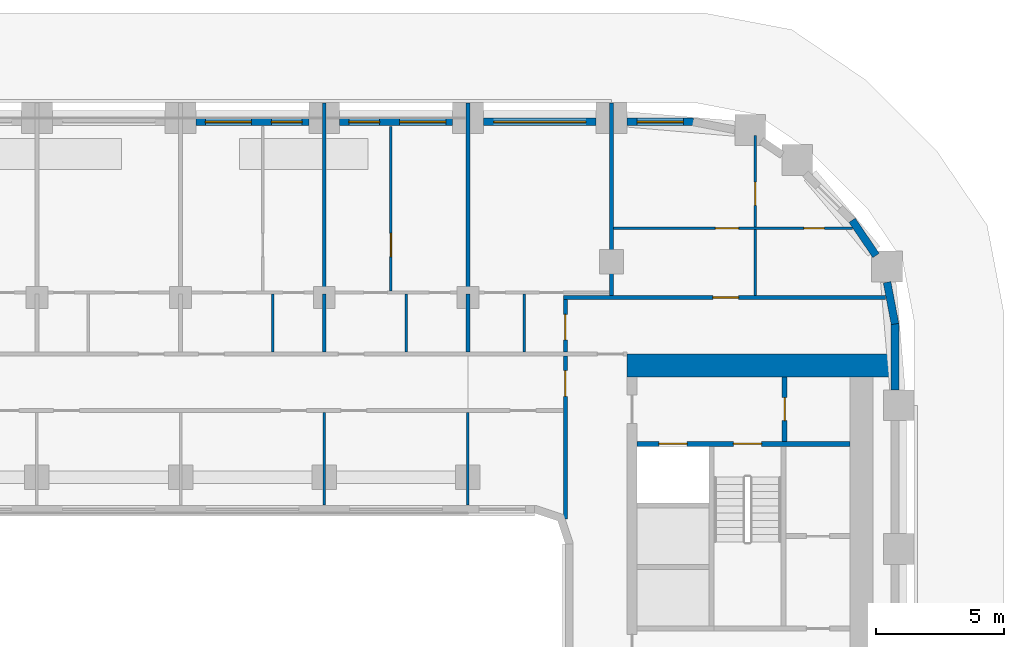
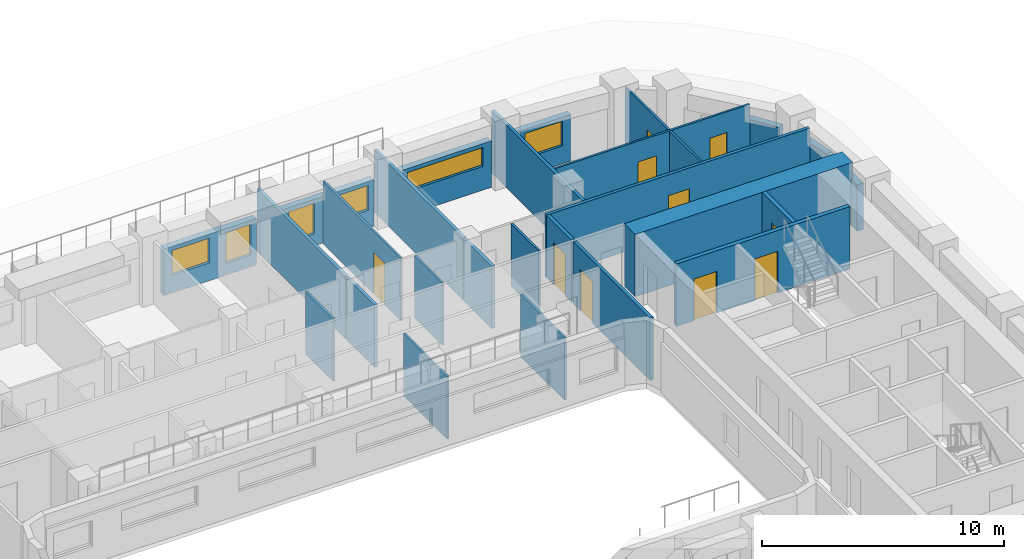
# One storey, part 10 of 18: 27 walls, 10 doors, 6 windows, 16 openings.
"""IFC4 building model written with IfcOpenShell, lengths in metres."""

from ifc_helpers import new_model, si_unit, direction, frame, frame_2d, origin, place, context, subcontext, project, spatial, rectangle, extrude, material, layer, layer_set, type_object, element, fill, save


model = new_model("IFC4")

# Units and contexts
model_context = context("Model", 3, precision=1e-05, world=origin(), true_north=direction((0.0, 1.0)))
body_context = subcontext(model_context, "Body", "Model", "MODEL_VIEW")
ifc_project = project(units=[si_unit("LENGTHUNIT", "METRE"), si_unit("AREAUNIT", "SQUARE_METRE"), si_unit("VOLUMEUNIT", "CUBIC_METRE"), si_unit("PLANEANGLEUNIT", "RADIAN"), si_unit("MASSUNIT", "GRAM", prefix="KILO")], contexts=[model_context])

# Site, building, storey
site_placement = place(None, origin())
site = spatial("IfcSite", under=ifc_project, at=site_placement, CompositionType="ELEMENT")
building_placement = place(site_placement, origin())
building = spatial("IfcBuilding", under=site, at=building_placement, Name="Kiln Ring Residences", CompositionType="ELEMENT")
storey_placement = place(building_placement, frame((0.0, 0.0, 121.800048828125)))
storey = spatial("IfcBuildingStorey", under=building, at=storey_placement, Name="L31", CompositionType="ELEMENT", Elevation=121.800048828125)

# Wall, opening, door
ifc_material_1 = material(Name="Gypsum board on steel studs", Category="steel")
ifc_layer_1 = layer(ifc_material_1, 0.199951171875)
ifc_layer_set_1 = layer_set([ifc_layer_1], Name="CORE-PARTITION-200")
wall_type_1 = type_object("IfcWallType", Name="CORE-PARTITION-200", PredefinedType="PARTITIONING", material=ifc_layer_set_1)
wall_1_placement = place(storey_placement, frame((23.550048828125, 9.800048828125, 0.0), z_axis=(0.0, 0.0, 1.0), x_axis=(0.0, 1.0, 0.0)))
wall_1 = element("IfcWall", 1, at=wall_1_placement, inside=storey, type_object=wall_type_1, Name="Core partition east L31 3", PredefinedType="PARTITIONING", context=body_context, shape_type="SweptSolid", body=[
    extrude(rectangle(XDim=2.5, YDim=0.199951171875, at=frame_2d((1.25, 0.0))), origin(), (0.0, 0.0, 1.0), 3.14990234375),
])
opening_1_placement = place(wall_1_placement, frame((0.800048828125, 0.0, 0.0)))
opening_1 = element("IfcOpeningElement", 2, at=opening_1_placement, cuts=wall_1, Name="Opening L31-CE08", PredefinedType="OPENING", context=body_context, shape_type="SweptSolid", body=[
    extrude(rectangle(XDim=0.89990234375, YDim=2.10009765625, at=frame_2d((0.449951171875, 1.050048828125))), frame((0.0, 0.10986328125, 0.0), z_axis=(0.0, -1.0, 0.0), x_axis=(1.0, 0.0, 0.0)), (0.0, 0.0, 1.0), 0.219970703125),
])
ifc_material_2 = material(Name="Steel door leaf", Category="steel")
door_type_1 = type_object("IfcDoorType", Name="CORE-DOOR-ROOM", OperationType="SINGLE_SWING_LEFT", PredefinedType="DOOR", material=ifc_material_2)
door_1_placement = place(opening_1_placement, origin())
door_1 = element("IfcDoor", 3, at=door_1_placement, inside=storey, type_object=door_type_1, Name="Fire riser room L31-CE08", OperationType="SINGLE_SWING_LEFT", OverallHeight=2.10009765625, OverallWidth=0.89990234375, PredefinedType="DOOR", context=body_context, shape_type="SweptSolid", body=[
    extrude(rectangle(XDim=0.89990234375, YDim=2.10009765625, at=frame_2d((0.449951171875, 1.050048828125))), frame((0.0, 0.02490234375, 0.0), z_axis=(0.0, -1.0, 0.0), x_axis=(1.0, 0.0, 0.0)), (0.0, 0.0, 1.0), 0.050048828125),
])
fill(opening_1, door_1)

# Wall, openings, doors
ifc_material_3 = material(Name="Concrete C40/50", Category="concrete")
ifc_layer_2 = layer(ifc_material_3, 0.199951171875)
ifc_layer_set_2 = layer_set([ifc_layer_2], Name="CORE-WALL-RC200")
wall_type_2 = type_object("IfcWallType", Name="CORE-WALL-RC200", PredefinedType="SHEAR", material=ifc_layer_set_2)
wall_2_placement = place(storey_placement, frame((17.800048828125, 9.699951171875, 0.0), z_axis=(0.0, 0.0, 1.0), x_axis=(1.0, 0.0, 0.0)))
wall_2 = element("IfcWall", 4, at=wall_2_placement, inside=storey, type_object=wall_type_2, Name="Core wall east L31 9", PredefinedType="SHEAR", context=body_context, shape_type="SweptSolid", body=[
    extrude(rectangle(XDim=8.300048828125, YDim=0.199951171875, at=frame_2d((4.14990234375, 0.0))), origin(), (0.0, 0.0, 1.0), 3.14990234375),
])
opening_2_placement = place(wall_2_placement, frame((0.85009765625, 0.0, 0.0)))
opening_2 = element("IfcOpeningElement", 5, at=opening_2_placement, cuts=wall_2, Name="Opening L31-CE05", PredefinedType="OPENING", context=body_context, shape_type="SweptSolid", body=[
    extrude(rectangle(XDim=1.10009765625, YDim=2.10009765625, at=frame_2d((0.550048828125, 1.050048828125))), frame((0.0, 0.10986328125, 0.0), z_axis=(0.0, -1.0, 0.0), x_axis=(1.0, 0.0, 0.0)), (0.0, 0.0, 1.0), 0.219970703125),
])
opening_3_placement = place(wall_2_placement, frame((3.75, 0.0, 0.0)))
opening_3 = element("IfcOpeningElement", 6, at=opening_3_placement, cuts=wall_2, Name="Opening L31-CE10", PredefinedType="OPENING", context=body_context, shape_type="SweptSolid", body=[
    extrude(rectangle(XDim=1.10009765625, YDim=2.10009765625, at=frame_2d((0.550048828125, 1.050048828125))), frame((0.0, 0.10986328125, 0.0), z_axis=(0.0, -1.0, 0.0), x_axis=(1.0, 0.0, 0.0)), (0.0, 0.0, 1.0), 0.219970703125),
])
ifc_material_4 = material(Name="Steel door leaf", Category="steel")
door_type_2 = type_object("IfcDoorType", Name="CORE-DOOR-LD", OperationType="DOUBLE_DOOR_SLIDING", PredefinedType="DOOR", material=ifc_material_4)
door_2_placement = place(opening_2_placement, origin())
door_2 = element("IfcDoor", 7, at=door_2_placement, inside=storey, type_object=door_type_2, Name="LD E-FF L31-CE05", OperationType="DOUBLE_DOOR_SLIDING", OverallHeight=2.10009765625, OverallWidth=1.10009765625, PredefinedType="DOOR", context=body_context, shape_type="SweptSolid", body=[
    extrude(rectangle(XDim=1.10009765625, YDim=2.10009765625, at=frame_2d((0.550048828125, 1.050048828125))), frame((0.0, 0.02490234375, 0.0), z_axis=(0.0, -1.0, 0.0), x_axis=(1.0, 0.0, 0.0)), (0.0, 0.0, 1.0), 0.050048828125),
])
fill(opening_2, door_2)
ifc_material_5 = material(Name="Steel door leaf", Category="steel")
door_type_3 = type_object("IfcDoorType", Name="CORE-DOOR-STAIR", OperationType="SINGLE_SWING_LEFT", PredefinedType="DOOR", material=ifc_material_5)
door_3_placement = place(opening_3_placement, origin())
door_3 = element("IfcDoor", 8, at=door_3_placement, inside=storey, type_object=door_type_3, Name="Stair E-STN L31-CE10", OperationType="SINGLE_SWING_LEFT", OverallHeight=2.10009765625, OverallWidth=1.10009765625, PredefinedType="DOOR", context=body_context, shape_type="SweptSolid", body=[
    extrude(rectangle(XDim=1.10009765625, YDim=2.10009765625, at=frame_2d((0.550048828125, 1.050048828125))), frame((0.0, 0.02490234375, 0.0), z_axis=(0.0, -1.0, 0.0), x_axis=(1.0, 0.0, 0.0)), (0.0, 0.0, 1.0), 0.050048828125),
])
fill(opening_3, door_3)

# Walls
ifc_material_6 = material(Name="Concrete C60/75", Category="concrete")
ifc_layer_3 = layer(ifc_material_6, 0.89990234375)
ifc_layer_set_3 = layer_set([ifc_layer_3], Name="CORE-WALL-RC900")
wall_type_3 = type_object("IfcWallType", Name="CORE-WALL-RC900", PredefinedType="SHEAR", material=ifc_layer_set_3)
wall_3_placement = place(storey_placement, frame((17.39990234375, 12.75, 0.0), z_axis=(0.0, 0.0, 1.0), x_axis=(1.0, 0.0, 0.0)))
element("IfcWall", 9, at=wall_3_placement, inside=storey, type_object=wall_type_3, Name="Core wall east L31 4", PredefinedType="SHEAR", context=body_context, shape_type="SweptSolid", body=[
    extrude(rectangle(XDim=10.400146484375, YDim=0.89990234375, at=frame_2d((5.2001953125, 0.0))), origin(), (0.0, 0.0, 1.0), 3.14990234375),
])
ifc_material_7 = material(Name="Brick masonry, dark clay brick", Category="masonry")
ifc_layer_4 = layer(ifc_material_7, 0.300048828125)
ifc_layer_set_4 = layer_set([ifc_layer_4], Name="EW-300 BRICK WALL")
wall_type_4 = type_object("IfcWallType", Name="EW-300 BRICK WALL", PredefinedType="SOLIDWALL", material=ifc_layer_set_4)
wall_4_placement = place(storey_placement, frame((27.85009765625, 11.800048828125, 0.0), z_axis=(0.0, 0.0, 1.0), x_axis=(0.0, 1.0, 0.0)))
element("IfcWall", 10, at=wall_4_placement, inside=storey, type_object=wall_type_4, Name="Facade wall L31 22", PredefinedType="SOLIDWALL", context=body_context, shape_type="SweptSolid", body=[
    extrude(rectangle(XDim=2.599853515625, YDim=0.300048828125, at=frame_2d((1.2998046875, 0.0))), origin(), (0.0, 0.0, 1.0), 2.349853515625),
])
for number, where, z_axis, x_axis, name in (
    (11, (27.8525390625, 14.371826171875, 0.0), (0.0, 0.0, 1.0), (-0.187349172861, 0.982293381546, 0.0), "Facade wall L31 23"),
    (12, (27.10986328125, 17.04296875, 0.0), (0.0, 0.0, 1.0), (-0.562060017944, 0.82709644917, 0.0), "Facade wall L31 24"),
):
    element("IfcWall", number, at=place(storey_placement, frame(where, z_axis=z_axis, x_axis=x_axis)), inside=storey, type_object=wall_type_4, Name=name, PredefinedType="SOLIDWALL", context=body_context, shape_type="SweptSolid", body=[
        extrude(rectangle(XDim=1.65625, YDim=0.300048828125, at=frame_2d((0.828125, 0.0))), origin(), (0.0, 0.0, 1.0), 2.349853515625),
    ])

# Wall, opening, window
wall_5_placement = place(storey_placement, frame((20.0, 22.25, 0.0), z_axis=(0.0, 0.0, 1.0), x_axis=(-1.0, 0.0, 0.0)))
wall_5 = element("IfcWall", 13, at=wall_5_placement, inside=storey, type_object=wall_type_4, Name="Facade wall L31 28", PredefinedType="SOLIDWALL", context=body_context, shape_type="SweptSolid", body=[
    extrude(rectangle(XDim=2.60009765625, YDim=0.300048828125, at=frame_2d((1.300048828125, 0.0))), origin(), (0.0, 0.0, 1.0), 2.349853515625),
])
opening_4_placement = place(wall_5_placement, frame((0.39990234375, 0.0, 0.89990234375)))
opening_4 = element("IfcOpeningElement", 14, at=opening_4_placement, cuts=wall_5, Name="Opening W2", PredefinedType="OPENING", context=body_context, shape_type="SweptSolid", body=[
    extrude(rectangle(XDim=1.800048828125, YDim=1.25, at=frame_2d((0.89990234375, 0.625))), frame((0.0, 0.159912109375, 0.0), z_axis=(0.0, -1.0, 0.0), x_axis=(1.0, 0.0, 0.0)), (0.0, 0.0, 1.0), 0.320068359375),
])
ifc_material_8 = material(Name="Aluminium frame with double glazing", Category="aluminium")
window_type_1 = type_object("IfcWindowType", Name="WINDOW 1800 x 1250", PartitioningType="SINGLE_PANEL", PredefinedType="WINDOW", material=ifc_material_8)
window_1_placement = place(opening_4_placement, origin())
window_1 = element("IfcWindow", 15, at=window_1_placement, inside=storey, type_object=window_type_1, Name="Window L31 14", OverallHeight=1.25, OverallWidth=1.800048828125, PartitioningType="SINGLE_PANEL", PredefinedType="WINDOW", context=body_context, shape_type="SweptSolid", body=[
    extrude(rectangle(XDim=1.800048828125, YDim=1.25, at=frame_2d((0.89990234375, 0.625))), frame((0.0, 0.030029296875, 0.0), z_axis=(0.0, -1.0, 0.0), x_axis=(1.0, 0.0, 0.0)), (0.0, 0.0, 1.0), 0.06005859375),
])
fill(opening_4, window_1)

wall_6_placement = place(storey_placement, frame((16.199951171875, 22.25, 0.0), z_axis=(0.0, 0.0, 1.0), x_axis=(-1.0, 0.0, 0.0)))
wall_6 = element("IfcWall", 16, at=wall_6_placement, inside=storey, type_object=wall_type_4, Name="Facade wall L31 29", PredefinedType="SOLIDWALL", context=body_context, shape_type="SweptSolid", body=[
    extrude(rectangle(XDim=4.39990234375, YDim=0.300048828125, at=frame_2d((2.199951171875, 0.0))), origin(), (0.0, 0.0, 1.0), 2.349853515625),
])
opening_5_placement = place(wall_6_placement, frame((0.39990234375, 0.0, 1.199951171875)))
opening_5 = element("IfcOpeningElement", 17, at=opening_5_placement, cuts=wall_6, Name="Opening W4", PredefinedType="OPENING", context=body_context, shape_type="SweptSolid", body=[
    extrude(rectangle(XDim=3.60009765625, YDim=0.949951171875, at=frame_2d((1.800048828125, 0.47509765625))), frame((0.0, 0.159912109375, 0.0), z_axis=(0.0, -1.0, 0.0), x_axis=(1.0, 0.0, 0.0)), (0.0, 0.0, 1.0), 0.320068359375),
])
ifc_material_9 = material(Name="Aluminium frame with double glazing", Category="aluminium")
window_type_2 = type_object("IfcWindowType", Name="WINDOW 3600 x 950", PartitioningType="SINGLE_PANEL", PredefinedType="WINDOW", material=ifc_material_9)
window_2_placement = place(opening_5_placement, origin())
window_2 = element("IfcWindow", 18, at=window_2_placement, inside=storey, type_object=window_type_2, Name="Window L31 15", OverallHeight=0.949951171875, OverallWidth=3.60009765625, PartitioningType="SINGLE_PANEL", PredefinedType="WINDOW", context=body_context, shape_type="SweptSolid", body=[
    extrude(rectangle(XDim=3.60009765625, YDim=0.949951171875, at=frame_2d((1.800048828125, 0.47509765625))), frame((0.0, 0.030029296875, 0.0), z_axis=(0.0, -1.0, 0.0), x_axis=(1.0, 0.0, 0.0)), (0.0, 0.0, 1.0), 0.06005859375),
])
fill(opening_5, window_2)

# Wall, openings, windows
wall_7_placement = place(storey_placement, frame((10.60009765625, 22.25, 0.0), z_axis=(0.0, 0.0, 1.0), x_axis=(-1.0, 0.0, 0.0)))
wall_7 = element("IfcWall", 19, at=wall_7_placement, inside=storey, type_object=wall_type_4, Name="Facade wall L31 30", PredefinedType="SOLIDWALL", context=body_context, shape_type="SweptSolid", body=[
    extrude(rectangle(XDim=4.400146484375, YDim=0.300048828125, at=frame_2d((2.2001953125, 0.0))), origin(), (0.0, 0.0, 1.0), 2.349853515625),
])
opening_6_placement = place(wall_7_placement, frame((0.262451171875, 0.0, 0.89990234375)))
opening_6 = element("IfcOpeningElement", 20, at=opening_6_placement, cuts=wall_7, Name="Opening W2", PredefinedType="OPENING", context=body_context, shape_type="SweptSolid", body=[
    extrude(rectangle(XDim=1.800048828125, YDim=1.25, at=frame_2d((0.89990234375, 0.625))), frame((0.0, 0.159912109375, 0.0), z_axis=(0.0, -1.0, 0.0), x_axis=(1.0, 0.0, 0.0)), (0.0, 0.0, 1.0), 0.320068359375),
])
opening_7_placement = place(wall_7_placement, frame((2.83740234375, 0.0, 0.60009765625)))
opening_7 = element("IfcOpeningElement", 21, at=opening_7_placement, cuts=wall_7, Name="Opening W1", PredefinedType="OPENING", context=body_context, shape_type="SweptSolid", body=[
    extrude(rectangle(XDim=1.199951171875, YDim=1.550048828125, at=frame_2d((0.60009765625, 0.77490234375))), frame((0.0, 0.159912109375, 0.0), z_axis=(0.0, -1.0, 0.0), x_axis=(1.0, 0.0, 0.0)), (0.0, 0.0, 1.0), 0.320068359375),
])
ifc_material_10 = material(Name="Aluminium frame with double glazing", Category="aluminium")
window_type_3 = type_object("IfcWindowType", Name="WINDOW 1200 x 1550", PartitioningType="SINGLE_PANEL", PredefinedType="WINDOW", material=ifc_material_10)
window_3_placement = place(opening_7_placement, origin())
window_3 = element("IfcWindow", 22, at=window_3_placement, inside=storey, type_object=window_type_3, Name="Window L31 17", OverallHeight=1.550048828125, OverallWidth=1.199951171875, PartitioningType="SINGLE_PANEL", PredefinedType="WINDOW", context=body_context, shape_type="SweptSolid", body=[
    extrude(rectangle(XDim=1.199951171875, YDim=1.550048828125, at=frame_2d((0.60009765625, 0.77490234375))), frame((0.0, 0.030029296875, 0.0), z_axis=(0.0, -1.0, 0.0), x_axis=(1.0, 0.0, 0.0)), (0.0, 0.0, 1.0), 0.06005859375),
])
fill(opening_7, window_3)
window_4_placement = place(opening_6_placement, origin())
window_4 = element("IfcWindow", 23, at=window_4_placement, inside=storey, type_object=window_type_1, Name="Window L31 16", OverallHeight=1.25, OverallWidth=1.800048828125, PartitioningType="SINGLE_PANEL", PredefinedType="WINDOW", context=body_context, shape_type="SweptSolid", body=[
    extrude(rectangle(XDim=1.800048828125, YDim=1.25, at=frame_2d((0.89990234375, 0.625))), frame((0.0, 0.030029296875, 0.0), z_axis=(0.0, -1.0, 0.0), x_axis=(1.0, 0.0, 0.0)), (0.0, 0.0, 1.0), 0.06005859375),
])
fill(opening_6, window_4)

wall_8_placement = place(storey_placement, frame((5.0, 22.25, 0.0), z_axis=(0.0, 0.0, 1.0), x_axis=(-1.0, 0.0, 0.0)))
wall_8 = element("IfcWall", 24, at=wall_8_placement, inside=storey, type_object=wall_type_4, Name="Facade wall L31 31", PredefinedType="SOLIDWALL", context=body_context, shape_type="SweptSolid", body=[
    extrude(rectangle(XDim=4.39990234375, YDim=0.300048828125, at=frame_2d((2.199951171875, 0.0))), origin(), (0.0, 0.0, 1.0), 2.349853515625),
])
opening_8_placement = place(wall_8_placement, frame((0.262451171875, 0.0, 0.60009765625)))
opening_8 = element("IfcOpeningElement", 25, at=opening_8_placement, cuts=wall_8, Name="Opening W1", PredefinedType="OPENING", context=body_context, shape_type="SweptSolid", body=[
    extrude(rectangle(XDim=1.199951171875, YDim=1.550048828125, at=frame_2d((0.60009765625, 0.77490234375))), frame((0.0, 0.159912109375, 0.0), z_axis=(0.0, -1.0, 0.0), x_axis=(1.0, 0.0, 0.0)), (0.0, 0.0, 1.0), 0.320068359375),
])
opening_9_placement = place(wall_8_placement, frame((2.237548828125, 0.0, 0.89990234375)))
opening_9 = element("IfcOpeningElement", 26, at=opening_9_placement, cuts=wall_8, Name="Opening W2", PredefinedType="OPENING", context=body_context, shape_type="SweptSolid", body=[
    extrude(rectangle(XDim=1.800048828125, YDim=1.25, at=frame_2d((0.89990234375, 0.625))), frame((0.0, 0.159912109375, 0.0), z_axis=(0.0, -1.0, 0.0), x_axis=(1.0, 0.0, 0.0)), (0.0, 0.0, 1.0), 0.320068359375),
])
window_5_placement = place(opening_8_placement, origin())
window_5 = element("IfcWindow", 27, at=window_5_placement, inside=storey, type_object=window_type_3, Name="Window L31 18", OverallHeight=1.550048828125, OverallWidth=1.199951171875, PartitioningType="SINGLE_PANEL", PredefinedType="WINDOW", context=body_context, shape_type="SweptSolid", body=[
    extrude(rectangle(XDim=1.199951171875, YDim=1.550048828125, at=frame_2d((0.60009765625, 0.77490234375))), frame((0.0, 0.030029296875, 0.0), z_axis=(0.0, -1.0, 0.0), x_axis=(1.0, 0.0, 0.0)), (0.0, 0.0, 1.0), 0.06005859375),
])
fill(opening_8, window_5)
window_6_placement = place(opening_9_placement, origin())
window_6 = element("IfcWindow", 28, at=window_6_placement, inside=storey, type_object=window_type_1, Name="Window L31 19", OverallHeight=1.25, OverallWidth=1.800048828125, PartitioningType="SINGLE_PANEL", PredefinedType="WINDOW", context=body_context, shape_type="SweptSolid", body=[
    extrude(rectangle(XDim=1.800048828125, YDim=1.25, at=frame_2d((0.89990234375, 0.625))), frame((0.0, 0.030029296875, 0.0), z_axis=(0.0, -1.0, 0.0), x_axis=(1.0, 0.0, 0.0)), (0.0, 0.0, 1.0), 0.06005859375),
])
fill(opening_9, window_6)

# Wall, openings, doors
ifc_material_11 = material(Name="Gypsum board on steel studs", Category="steel")
ifc_layer_5 = layer(ifc_material_11, 0.10009765625)
ifc_layer_set_5 = layer_set([ifc_layer_5], Name="PARTITION-100")
wall_type_5 = type_object("IfcWallType", Name="PARTITION-100", PredefinedType="PARTITIONING", material=ifc_layer_set_5)
wall_9_placement = place(storey_placement, frame((16.875, 18.10009765625, 0.0), z_axis=(0.0, 0.0, 1.0), x_axis=(1.0, 0.0, 0.0)))
wall_9 = element("IfcWall", 29, at=wall_9_placement, inside=storey, type_object=wall_type_5, Name="Partition 013", PredefinedType="PARTITIONING", context=body_context, shape_type="SweptSolid", body=[
    extrude(rectangle(XDim=9.315185546875, YDim=0.10009765625, at=frame_2d((4.65771484375, 0.0))), origin(), (0.0, 0.0, 1.0), 3.14990234375),
])
opening_10_placement = place(wall_9_placement, frame((7.425048828125, 0.0, 0.0)))
opening_10 = element("IfcOpeningElement", 30, at=opening_10_placement, cuts=wall_9, Name="Opening L31-D036", PredefinedType="OPENING", context=body_context, shape_type="SweptSolid", body=[
    extrude(rectangle(XDim=0.800048828125, YDim=2.10009765625, at=frame_2d((0.39990234375, 1.050048828125))), frame((0.0, 0.06005859375, 0.0), z_axis=(0.0, -1.0, 0.0), x_axis=(1.0, 0.0, 0.0)), (0.0, 0.0, 1.0), 0.1201171875),
])
opening_11_placement = place(wall_9_placement, frame((3.97509765625, 0.0, 0.0)))
opening_11 = element("IfcOpeningElement", 31, at=opening_11_placement, cuts=wall_9, Name="Opening L31-D037", PredefinedType="OPENING", context=body_context, shape_type="SweptSolid", body=[
    extrude(rectangle(XDim=0.89990234375, YDim=2.10009765625, at=frame_2d((0.449951171875, 1.050048828125))), frame((0.0, 0.06005859375, 0.0), z_axis=(0.0, -1.0, 0.0), x_axis=(1.0, 0.0, 0.0)), (0.0, 0.0, 1.0), 0.1201171875),
])
ifc_material_12 = material(Name="Timber door leaf", Category="wood")
door_type_4 = type_object("IfcDoorType", Name="FLAT-DOOR-800-PL", OperationType="SINGLE_SWING_LEFT", PredefinedType="DOOR", material=ifc_material_12)
door_4_placement = place(opening_10_placement, origin())
door_4 = element("IfcDoor", 32, at=door_4_placement, inside=storey, type_object=door_type_4, Name="Door L31-D036", OperationType="SINGLE_SWING_RIGHT", OverallHeight=2.10009765625, OverallWidth=0.800048828125, PredefinedType="DOOR", context=body_context, shape_type="SweptSolid", body=[
    extrude(rectangle(XDim=0.800048828125, YDim=2.10009765625, at=frame_2d((0.39990234375, 1.050048828125))), frame((0.0, 0.02490234375, 0.0), z_axis=(0.0, -1.0, 0.0), x_axis=(1.0, 0.0, 0.0)), (0.0, 0.0, 1.0), 0.050048828125),
])
fill(opening_10, door_4)
ifc_material_13 = material(Name="Timber door leaf", Category="wood")
door_type_5 = type_object("IfcDoorType", Name="FLAT-DOOR-900-PL", OperationType="SINGLE_SWING_LEFT", PredefinedType="DOOR", material=ifc_material_13)
door_5_placement = place(opening_11_placement, origin())
door_5 = element("IfcDoor", 33, at=door_5_placement, inside=storey, type_object=door_type_5, Name="Door L31-D037", OperationType="SINGLE_SWING_LEFT", OverallHeight=2.10009765625, OverallWidth=0.89990234375, PredefinedType="DOOR", context=body_context, shape_type="SweptSolid", body=[
    extrude(rectangle(XDim=0.89990234375, YDim=2.10009765625, at=frame_2d((0.449951171875, 1.050048828125))), frame((0.0, 0.02490234375, 0.0), z_axis=(0.0, -1.0, 0.0), x_axis=(1.0, 0.0, 0.0)), (0.0, 0.0, 1.0), 0.050048828125),
])
fill(opening_11, door_5)

# Walls
wall_10_placement = place(storey_placement, frame((3.60009765625, 13.27490234375, 0.0), z_axis=(0.0, 0.0, 1.0), x_axis=(0.0, 1.0, 0.0)))
element("IfcWall", 34, at=wall_10_placement, inside=storey, type_object=wall_type_5, Name="Partition 050", PredefinedType="PARTITIONING", context=body_context, shape_type="SweptSolid", body=[
    extrude(rectangle(XDim=2.275146484375, YDim=0.10009765625, at=frame_2d((1.1376953125, 0.0))), origin(), (0.0, 0.0, 1.0), 3.14990234375),
])
wall_11_placement = place(storey_placement, frame((5.60009765625, 7.320068359375, 0.0), z_axis=(0.0, 0.0, 1.0), x_axis=(0.0, 1.0, 0.0)))
element("IfcWall", 35, at=wall_11_placement, inside=storey, type_object=wall_type_5, Name="Partition 051", PredefinedType="PARTITIONING", context=body_context, shape_type="SweptSolid", body=[
    extrude(rectangle(XDim=3.60498046875, YDim=0.10009765625, at=frame_2d((1.802490234375, 0.0))), origin(), (0.0, 0.0, 1.0), 3.14990234375),
])

# Wall, opening, door
wall_12_placement = place(storey_placement, frame((8.199951171875, 15.64990234375, 0.0), z_axis=(0.0, 0.0, 1.0), x_axis=(0.0, 1.0, 0.0)))
wall_12 = element("IfcWall", 36, at=wall_12_placement, inside=storey, type_object=wall_type_5, Name="Partition 058", PredefinedType="PARTITIONING", context=body_context, shape_type="SweptSolid", body=[
    extrude(rectangle(XDim=6.43017578125, YDim=0.10009765625, at=frame_2d((3.215087890625, 0.0))), origin(), (0.0, 0.0, 1.0), 3.14990234375),
])
opening_12_placement = place(wall_12_placement, frame((1.35009765625, 0.0, 0.0)))
opening_12 = element("IfcOpeningElement", 37, at=opening_12_placement, cuts=wall_12, Name="Opening L31-D031", PredefinedType="OPENING", context=body_context, shape_type="SweptSolid", body=[
    extrude(rectangle(XDim=0.89990234375, YDim=2.10009765625, at=frame_2d((0.449951171875, 1.050048828125))), frame((0.0, 0.06005859375, 0.0), z_axis=(0.0, -1.0, 0.0), x_axis=(1.0, 0.0, 0.0)), (0.0, 0.0, 1.0), 0.1201171875),
])
door_6_placement = place(opening_12_placement, origin())
door_6 = element("IfcDoor", 38, at=door_6_placement, inside=storey, type_object=door_type_5, Name="Door L31-D031", OperationType="SINGLE_SWING_LEFT", OverallHeight=2.10009765625, OverallWidth=0.89990234375, PredefinedType="DOOR", context=body_context, shape_type="SweptSolid", body=[
    extrude(rectangle(XDim=0.89990234375, YDim=2.10009765625, at=frame_2d((0.449951171875, 1.050048828125))), frame((0.0, 0.02490234375, 0.0), z_axis=(0.0, -1.0, 0.0), x_axis=(1.0, 0.0, 0.0)), (0.0, 0.0, 1.0), 0.050048828125),
])
fill(opening_12, door_6)

# Walls
wall_13_placement = place(storey_placement, frame((8.800048828125, 13.27490234375, 0.0), z_axis=(0.0, 0.0, 1.0), x_axis=(0.0, 1.0, 0.0)))
element("IfcWall", 39, at=wall_13_placement, inside=storey, type_object=wall_type_5, Name="Partition 060", PredefinedType="PARTITIONING", context=body_context, shape_type="SweptSolid", body=[
    extrude(rectangle(XDim=2.275146484375, YDim=0.10009765625, at=frame_2d((1.1376953125, 0.0))), origin(), (0.0, 0.0, 1.0), 3.14990234375),
])
wall_14_placement = place(storey_placement, frame((11.199951171875, 7.320068359375, 0.0), z_axis=(0.0, 0.0, 1.0), x_axis=(0.0, 1.0, 0.0)))
element("IfcWall", 40, at=wall_14_placement, inside=storey, type_object=wall_type_5, Name="Partition 063", PredefinedType="PARTITIONING", context=body_context, shape_type="SweptSolid", body=[
    extrude(rectangle(XDim=3.60498046875, YDim=0.10009765625, at=frame_2d((1.802490234375, 0.0))), origin(), (0.0, 0.0, 1.0), 3.14990234375),
])
wall_15_placement = place(storey_placement, frame((13.39990234375, 13.27490234375, 0.0), z_axis=(0.0, 0.0, 1.0), x_axis=(0.0, 1.0, 0.0)))
element("IfcWall", 41, at=wall_15_placement, inside=storey, type_object=wall_type_5, Name="Partition 068", PredefinedType="PARTITIONING", context=body_context, shape_type="SweptSolid", body=[
    extrude(rectangle(XDim=2.275146484375, YDim=0.10009765625, at=frame_2d((1.1376953125, 0.0))), origin(), (0.0, 0.0, 1.0), 3.14990234375),
])
wall_16_placement = place(storey_placement, frame((22.39990234375, 15.47509765625, 0.0), z_axis=(0.0, 0.0, 1.0), x_axis=(0.0, 1.0, 0.0)))
element("IfcWall", 42, at=wall_16_placement, inside=storey, type_object=wall_type_5, Name="Partition 078", PredefinedType="PARTITIONING", context=body_context, shape_type="SweptSolid", body=[
    extrude(rectangle(XDim=2.574951171875, YDim=0.10009765625, at=frame_2d((1.28759765625, 0.0))), origin(), (0.0, 0.0, 1.0), 3.14990234375),
])

# Wall, opening, door
wall_17_placement = place(storey_placement, frame((22.39990234375, 18.14990234375, 0.0), z_axis=(0.0, 0.0, 1.0), x_axis=(0.0, 1.0, 0.0)))
wall_17 = element("IfcWall", 43, at=wall_17_placement, inside=storey, type_object=wall_type_5, Name="Partition 079", PredefinedType="PARTITIONING", context=body_context, shape_type="SweptSolid", body=[
    extrude(rectangle(XDim=3.570068359375, YDim=0.10009765625, at=frame_2d((1.78515625, 0.0))), origin(), (0.0, 0.0, 1.0), 3.14990234375),
])
opening_13_placement = place(wall_17_placement, frame((0.85009765625, 0.0, 0.0)))
opening_13 = element("IfcOpeningElement", 44, at=opening_13_placement, cuts=wall_17, Name="Opening L31-D038", PredefinedType="OPENING", context=body_context, shape_type="SweptSolid", body=[
    extrude(rectangle(XDim=0.89990234375, YDim=2.10009765625, at=frame_2d((0.449951171875, 1.050048828125))), frame((0.0, 0.06005859375, 0.0), z_axis=(0.0, -1.0, 0.0), x_axis=(1.0, 0.0, 0.0)), (0.0, 0.0, 1.0), 0.1201171875),
])
door_7_placement = place(opening_13_placement, origin())
door_7 = element("IfcDoor", 45, at=door_7_placement, inside=storey, type_object=door_type_5, Name="Door L31-D038", OperationType="SINGLE_SWING_LEFT", OverallHeight=2.10009765625, OverallWidth=0.89990234375, PredefinedType="DOOR", context=body_context, shape_type="SweptSolid", body=[
    extrude(rectangle(XDim=0.89990234375, YDim=2.10009765625, at=frame_2d((0.449951171875, 1.050048828125))), frame((0.0, 0.02490234375, 0.0), z_axis=(0.0, -1.0, 0.0), x_axis=(1.0, 0.0, 0.0)), (0.0, 0.0, 1.0), 0.050048828125),
])
fill(opening_13, door_7)

ifc_material_14 = material(Name="Brick masonry partition", Category="masonry")
ifc_layer_6 = layer(ifc_material_14, 0.14990234375)
ifc_layer_set_6 = layer_set([ifc_layer_6], Name="PARTITION-150-ei60")
wall_type_6 = type_object("IfcWallType", Name="PARTITION-150-ei60", PredefinedType="PARTITIONING", material=ifc_layer_set_6)
wall_18_placement = place(storey_placement, frame((14.925048828125, 15.39990234375, 0.0), z_axis=(0.0, 0.0, 1.0), x_axis=(1.0, 0.0, 0.0)))
wall_18 = element("IfcWall", 46, at=wall_18_placement, inside=storey, type_object=wall_type_6, Name="Partition 010", PredefinedType="PARTITIONING", context=body_context, shape_type="SweptSolid", body=[
    extrude(rectangle(XDim=12.558837890625, YDim=0.14990234375, at=frame_2d((6.279296875, 0.0))), origin(), (0.0, 0.0, 1.0), 3.14990234375),
])
opening_14_placement = place(wall_18_placement, frame((5.824951171875, 0.0, 0.0)))
opening_14 = element("IfcOpeningElement", 47, at=opening_14_placement, cuts=wall_18, Name="Opening L31-D035", PredefinedType="OPENING", context=body_context, shape_type="SweptSolid", body=[
    extrude(rectangle(XDim=1.0, YDim=2.10009765625, at=frame_2d((0.5, 1.050048828125))), frame((0.0, 0.0849609375, 0.0), z_axis=(0.0, -1.0, 0.0), x_axis=(1.0, 0.0, 0.0)), (0.0, 0.0, 1.0), 0.169921875),
])
ifc_material_15 = material(Name="Steel faced fire door leaf", Category="steel")
door_type_6 = type_object("IfcDoorType", Name="FLAT-DOOR-1000-FR", OperationType="SINGLE_SWING_LEFT", PredefinedType="DOOR", material=ifc_material_15)
door_8_placement = place(opening_14_placement, origin())
door_8 = element("IfcDoor", 48, at=door_8_placement, inside=storey, type_object=door_type_6, Name="Door L31-D035", OperationType="SINGLE_SWING_LEFT", OverallHeight=2.10009765625, OverallWidth=1.0, PredefinedType="DOOR", context=body_context, shape_type="SweptSolid", body=[
    extrude(rectangle(XDim=1.0, YDim=2.10009765625, at=frame_2d((0.5, 1.050048828125))), frame((0.0, 0.02490234375, 0.0), z_axis=(0.0, -1.0, 0.0), x_axis=(1.0, 0.0, 0.0)), (0.0, 0.0, 1.0), 0.050048828125),
])
fill(opening_14, door_8)

# Walls
wall_19_placement = place(storey_placement, frame((5.60009765625, 13.27490234375, 0.0), z_axis=(0.0, 0.0, 1.0), x_axis=(0.0, 1.0, 0.0)))
element("IfcWall", 49, at=wall_19_placement, inside=storey, type_object=wall_type_6, Name="Partition 055", PredefinedType="PARTITIONING", context=body_context, shape_type="SweptSolid", body=[
    extrude(rectangle(XDim=2.275146484375, YDim=0.14990234375, at=frame_2d((1.1376953125, 0.0))), origin(), (0.0, 0.0, 1.0), 3.14990234375),
])
wall_20_placement = place(storey_placement, frame((5.60009765625, 15.64990234375, 0.0), z_axis=(0.0, 0.0, 1.0), x_axis=(0.0, 1.0, 0.0)))
element("IfcWall", 50, at=wall_20_placement, inside=storey, type_object=wall_type_6, Name="Partition 056", PredefinedType="PARTITIONING", context=body_context, shape_type="SweptSolid", body=[
    extrude(rectangle(XDim=7.330078125, YDim=0.14990234375, at=frame_2d((3.6650390625, 0.0))), origin(), (0.0, 0.0, 1.0), 3.14990234375),
])
wall_21_placement = place(storey_placement, frame((11.199951171875, 13.27490234375, 0.0), z_axis=(0.0, 0.0, 1.0), x_axis=(0.0, 1.0, 0.0)))
element("IfcWall", 51, at=wall_21_placement, inside=storey, type_object=wall_type_6, Name="Partition 066", PredefinedType="PARTITIONING", context=body_context, shape_type="SweptSolid", body=[
    extrude(rectangle(XDim=2.275146484375, YDim=0.14990234375, at=frame_2d((1.1376953125, 0.0))), origin(), (0.0, 0.0, 1.0), 3.14990234375),
])
wall_22_placement = place(storey_placement, frame((11.199951171875, 15.64990234375, 0.0), z_axis=(0.0, 0.0, 1.0), x_axis=(0.0, 1.0, 0.0)))
element("IfcWall", 52, at=wall_22_placement, inside=storey, type_object=wall_type_6, Name="Partition 067", PredefinedType="PARTITIONING", context=body_context, shape_type="SweptSolid", body=[
    extrude(rectangle(XDim=7.330078125, YDim=0.14990234375, at=frame_2d((3.6650390625, 0.0))), origin(), (0.0, 0.0, 1.0), 3.14990234375),
])

# Wall, opening, door
wall_23_placement = place(storey_placement, frame((15.0, 6.768798828125, 0.0), z_axis=(0.0, 0.0, 1.0), x_axis=(0.0, 1.0, 0.0)))
wall_23 = element("IfcWall", 53, at=wall_23_placement, inside=storey, type_object=wall_type_6, Name="Partition 072", PredefinedType="PARTITIONING", context=body_context, shape_type="SweptSolid", body=[
    extrude(rectangle(XDim=6.356201171875, YDim=0.14990234375, at=frame_2d((3.17822265625, 0.0))), origin(), (0.0, 0.0, 1.0), 3.14990234375),
])
opening_15_placement = place(wall_23_placement, frame((4.78125, 0.0, 0.0)))
opening_15 = element("IfcOpeningElement", 54, at=opening_15_placement, cuts=wall_23, Name="Opening L31-D002", PredefinedType="OPENING", context=body_context, shape_type="SweptSolid", body=[
    extrude(rectangle(XDim=1.0, YDim=2.10009765625, at=frame_2d((0.5, 1.050048828125))), frame((0.0, 0.0849609375, 0.0), z_axis=(0.0, -1.0, 0.0), x_axis=(1.0, 0.0, 0.0)), (0.0, 0.0, 1.0), 0.169921875),
])
door_9_placement = place(opening_15_placement, origin())
door_9 = element("IfcDoor", 55, at=door_9_placement, inside=storey, type_object=door_type_6, Name="Door L31-D002", OperationType="SINGLE_SWING_LEFT", OverallHeight=2.10009765625, OverallWidth=1.0, PredefinedType="DOOR", context=body_context, shape_type="SweptSolid", body=[
    extrude(rectangle(XDim=1.0, YDim=2.10009765625, at=frame_2d((0.5, 1.050048828125))), frame((0.0, 0.02490234375, 0.0), z_axis=(0.0, -1.0, 0.0), x_axis=(1.0, 0.0, 0.0)), (0.0, 0.0, 1.0), 0.050048828125),
])
fill(opening_15, door_9)

wall_24_placement = place(storey_placement, frame((15.0, 13.27490234375, 0.0), z_axis=(0.0, 0.0, 1.0), x_axis=(0.0, 1.0, 0.0)))
wall_24 = element("IfcWall", 56, at=wall_24_placement, inside=storey, type_object=wall_type_6, Name="Partition 073", PredefinedType="PARTITIONING", context=body_context, shape_type="SweptSolid", body=[
    extrude(rectangle(XDim=2.050048828125, YDim=0.14990234375, at=frame_2d((1.02490234375, 0.0))), origin(), (0.0, 0.0, 1.0), 3.14990234375),
])
opening_16_placement = place(wall_24_placement, frame((0.47607421875, 0.0, 0.0)))
opening_16 = element("IfcOpeningElement", 57, at=opening_16_placement, cuts=wall_24, Name="Opening L31-D032", PredefinedType="OPENING", context=body_context, shape_type="SweptSolid", body=[
    extrude(rectangle(XDim=1.0, YDim=2.10009765625, at=frame_2d((0.5, 1.050048828125))), frame((0.0, 0.0849609375, 0.0), z_axis=(0.0, -1.0, 0.0), x_axis=(1.0, 0.0, 0.0)), (0.0, 0.0, 1.0), 0.169921875),
])
door_10_placement = place(opening_16_placement, origin())
door_10 = element("IfcDoor", 58, at=door_10_placement, inside=storey, type_object=door_type_6, Name="Door L31-D032", OperationType="SINGLE_SWING_RIGHT", OverallHeight=2.10009765625, OverallWidth=1.0, PredefinedType="DOOR", context=body_context, shape_type="SweptSolid", body=[
    extrude(rectangle(XDim=1.0, YDim=2.10009765625, at=frame_2d((0.5, 1.050048828125))), frame((0.0, 0.02490234375, 0.0), z_axis=(0.0, -1.0, 0.0), x_axis=(1.0, 0.0, 0.0)), (0.0, 0.0, 1.0), 0.050048828125),
])
fill(opening_16, door_10)

# Wall
wall_25_placement = place(storey_placement, frame((16.800048828125, 15.47509765625, 0.0), z_axis=(0.0, 0.0, 1.0), x_axis=(0.0, 1.0, 0.0)))
element("IfcWall", 59, at=wall_25_placement, inside=storey, type_object=wall_type_6, Name="Partition 075", PredefinedType="PARTITIONING", context=body_context, shape_type="SweptSolid", body=[
    extrude(rectangle(XDim=7.5048828125, YDim=0.14990234375, at=frame_2d((3.75244140625, 0.0))), origin(), (0.0, 0.0, 1.0), 3.14990234375),
])

save(model, "model.ifc")
